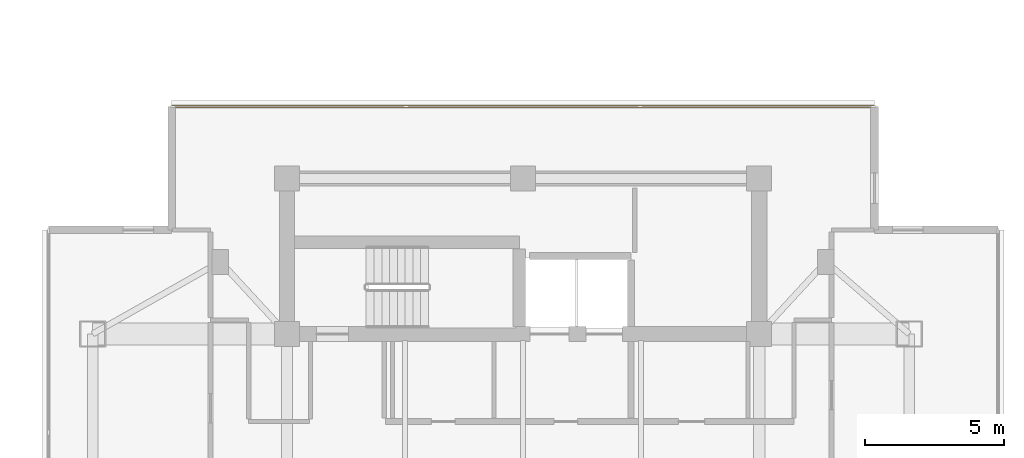
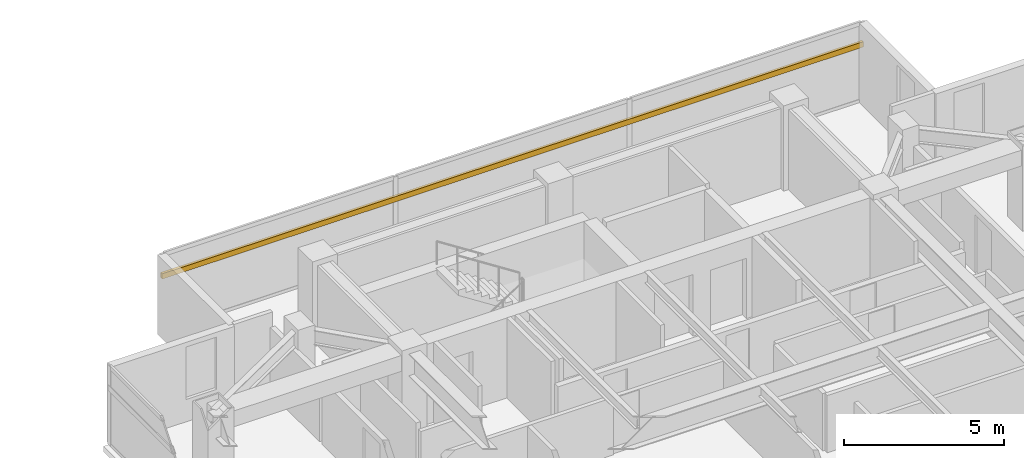
# One storey, part 24 of 24: 1 shading device.
"""IFC4 building model written with IfcOpenShell, lengths in metres."""

from ifc_helpers import new_model, si_unit, direction, frame, origin, origin_2d, place, context, subcontext, project, spatial, rectangle, extrude, material, material_profile, profile_set, type_object, element, save


model = new_model("IFC4")

# Units and contexts
model_context = context("Model", 3, precision=1e-05, world=origin(), true_north=direction((0.0, 1.0)))
body_context = subcontext(model_context, "Body", "Model", "MODEL_VIEW")
ifc_project = project(units=[si_unit("LENGTHUNIT", "METRE"), si_unit("AREAUNIT", "SQUARE_METRE"), si_unit("VOLUMEUNIT", "CUBIC_METRE"), si_unit("PLANEANGLEUNIT", "RADIAN"), si_unit("MASSUNIT", "GRAM", prefix="KILO")], contexts=[model_context])

# Site, building, storey
site_placement = place(None, origin())
site = spatial("IfcSite", under=ifc_project, at=site_placement, CompositionType="ELEMENT")
building_placement = place(site_placement, origin())
building = spatial("IfcBuilding", under=site, at=building_placement, Name="Mirazonda Arch Towers", CompositionType="ELEMENT")
storey_placement = place(building_placement, frame((0.0, 0.0, 193.39990234375)))
storey = spatial("IfcBuildingStorey", under=building, at=storey_placement, Name="L55", CompositionType="ELEMENT", Elevation=193.39990234375)

# Shading device
ifc_material = material(Name="Kiln-Fired Architectural Terracotta", Category="masonry")
ifc_material_profile = material_profile(ifc_material, rectangle(XDim=0.10009765625, YDim=0.199951171875, at=origin_2d()), Name="TERRA-BAG-100x200")
ifc_profile_set = profile_set([ifc_material_profile], Name="Kiln-Fired Architectural Terracotta")
shading_device_type = type_object("IfcShadingDeviceType", Name="BAGUETTE-2", PredefinedType="USERDEFINED", material=ifc_profile_set)
shading_device_placement = place(storey_placement, frame((63.84814453125, 43.388427734375, 2.181640625), z_axis=(1.0, 0.0, 0.0), x_axis=(0.0, 1.0, 0.0)))
element("IfcShadingDevice", 1, at=shading_device_placement, inside=storey, type_object=shading_device_type, Name="L55 Glazed Terracotta Sun-Screen Baguette CW-L55-T2-N", ObjectType="BAGUETTE", PredefinedType="USERDEFINED", context=body_context, shape_type="SweptSolid", body=[
    extrude(rectangle(XDim=0.10009765625, YDim=0.199951171875, at=origin_2d()), origin(), (0.0, 0.0, 1.0), 25.3037109375),
])

save(model, "model.ifc")
